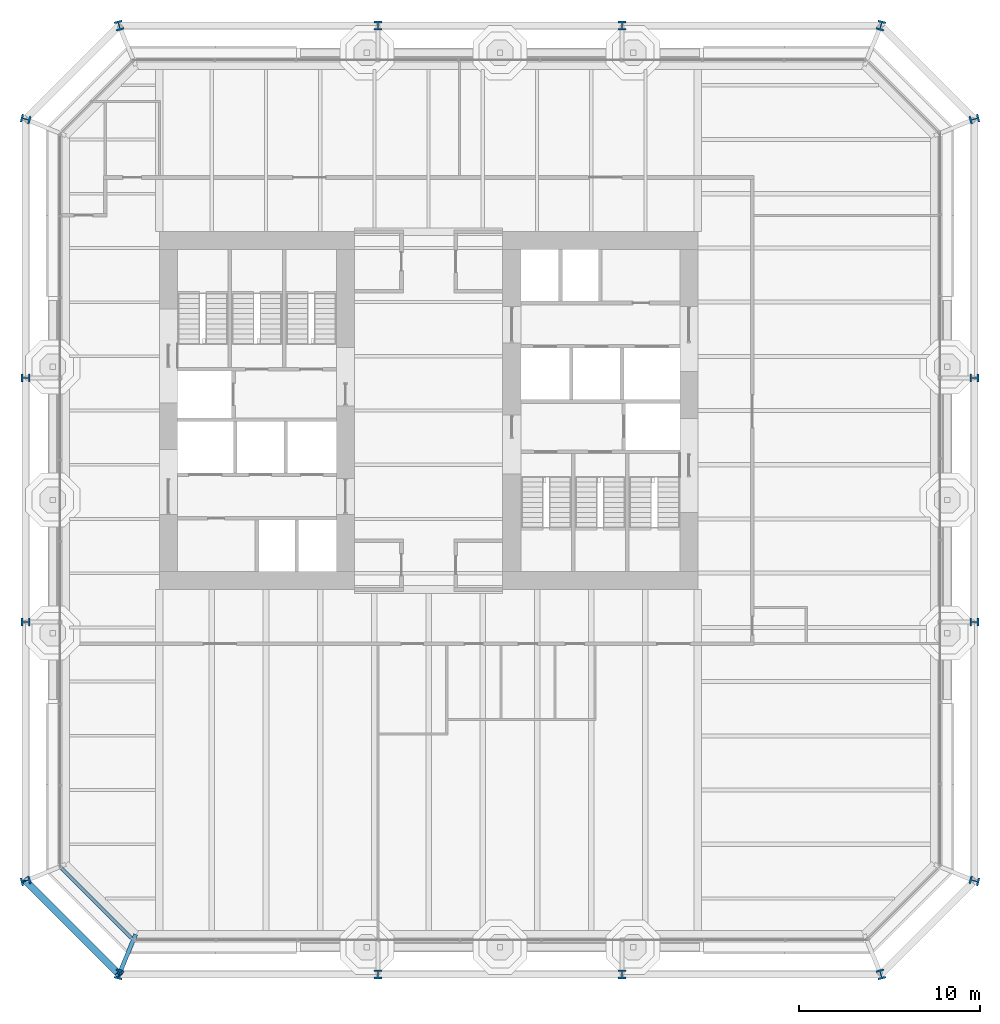
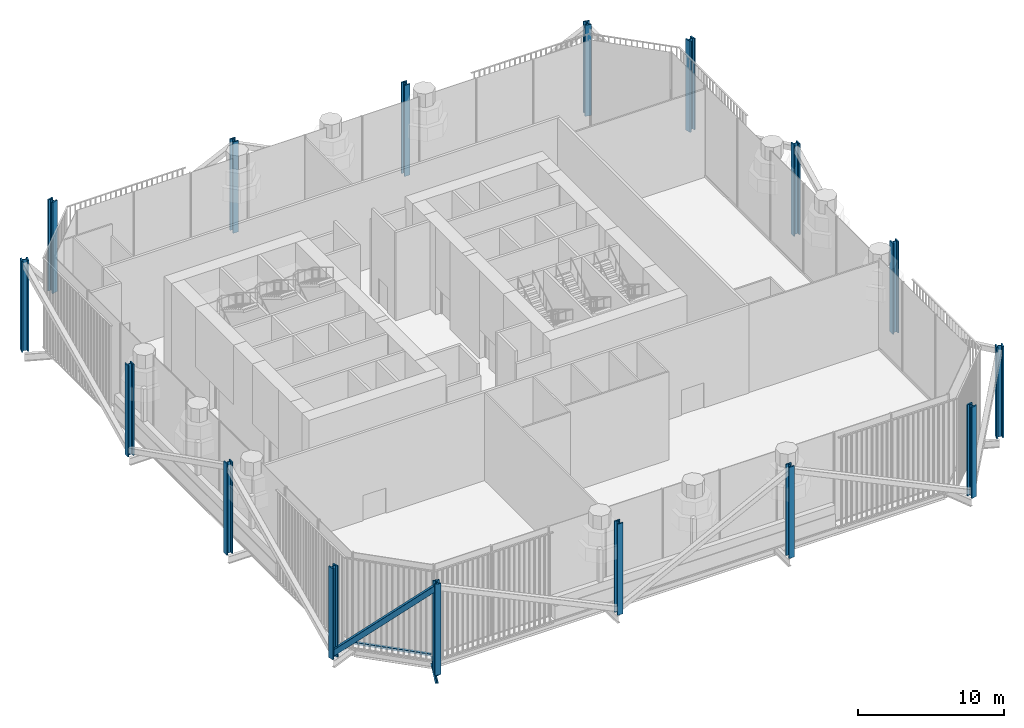
# One storey, part 1 of 18: 16 columns, 2 members, 1 beam, 1 element without a shape of its own.
"""IFC4 building model written with IfcOpenShell, lengths in metres."""

from ifc_helpers import new_model, si_unit, direction, frame, origin, origin_2d, place, context, subcontext, project, spatial, rectangle, hollow_rectangle, i_section, extrude, material, layer, layer_set, material_profile, profile_set, type_object, element, aggregate, save


model = new_model("IFC4")

# Units and contexts
model_context = context("Model", 3, precision=1e-05, world=origin(), true_north=direction((0.0, 1.0)))
body_context = subcontext(model_context, "Body", "Model", "MODEL_VIEW")
ifc_project = project(units=[si_unit("LENGTHUNIT", "METRE"), si_unit("AREAUNIT", "SQUARE_METRE"), si_unit("VOLUMEUNIT", "CUBIC_METRE"), si_unit("PLANEANGLEUNIT", "RADIAN"), si_unit("MASSUNIT", "GRAM", prefix="KILO")], contexts=[model_context])

# Site, building, storey
site_placement = place(None, origin())
site = spatial("IfcSite", under=ifc_project, at=site_placement, CompositionType="ELEMENT")
building_placement = place(site_placement, origin())
building = spatial("IfcBuilding", under=site, at=building_placement, Name="Millrace Tower", CompositionType="ELEMENT")
storey_placement = place(building_placement, frame((0.0, 0.0, 112.800048828125)))
storey = spatial("IfcBuildingStorey", under=building, at=storey_placement, Name="L25", CompositionType="ELEMENT", Elevation=112.800048828125)

# Columns
ifc_material_1 = material(Name="Steel ASTM A913 Grade 65", Category="steel")
ifc_material_profile_1 = material_profile(ifc_material_1, i_section(OverallWidth=0.431884765625, OverallDepth=0.497802734375, WebThickness=0.0556640625, FlangeThickness=0.0888671875, FilletRadius=0.01513671875, at=origin_2d()))
ifc_profile_set_1 = profile_set([ifc_material_profile_1], Name="Steel ASTM A913 Grade 65")
column_type_1 = type_object("IfcColumnType", Name="Exoskeleton column W14x500", PredefinedType="COLUMN", material=ifc_profile_set_1)
for number, where, z_axis, x_axis, name in (
    (1, (-2.800048828125, -31.199951171875, 0.0), (0.0, 0.0, 1.0), (1.0, 0.0, 0.0), "COL-B-L25-X03"),
    (2, (10.699951171875, -31.199951171875, 0.0), (0.0, 0.0, 1.0), (1.0, 0.0, 0.0), "COL-B-L25-X04"),
    (3, (30.199951171875, -11.699951171875, 0.0), (0.0, 0.0, 1.0), (0.0, 1.0, 0.0), "COL-B-L25-X07"),
    (4, (30.199951171875, 1.800048828125, 0.0), (0.0, 0.0, 1.0), (0.0, 1.0, 0.0), "COL-B-L25-X08"),
    (5, (10.699951171875, 21.300048828125, 0.0), (0.0, 0.0, 1.0), (-1.0, 0.0, 0.0), "COL-B-L25-X11"),
    (6, (-2.800048828125, 21.300048828125, 0.0), (0.0, 0.0, 1.0), (-1.0, 0.0, 0.0), "COL-B-L25-X12"),
    (7, (-22.300048828125, 1.800048828125, 0.0), (0.0, 0.0, 1.0), (0.0, -1.0, 0.0), "COL-B-L25-X15"),
    (8, (-22.300048828125, -11.699951171875, 0.0), (0.0, 0.0, 1.0), (0.0, -1.0, 0.0), "COL-B-L25-X16"),
):
    element("IfcColumn", number, at=place(storey_placement, frame(where, z_axis=z_axis, x_axis=x_axis)), inside=storey, type_object=column_type_1, Name=name, PredefinedType="COLUMN", context=body_context, shape_type="SweptSolid", body=[
        extrude(i_section(OverallWidth=0.431884765625, OverallDepth=0.497802734375, WebThickness=0.0556640625, FlangeThickness=0.0888671875, FilletRadius=0.01513671875, at=origin_2d()), origin(), (0.0, 0.0, 1.0), 7.599853515625),
    ])
ifc_material_2 = material(Name="Steel ASTM A913 Grade 65", Category="steel")
ifc_material_profile_2 = material_profile(ifc_material_2, i_section(OverallWidth=0.44189453125, OverallDepth=0.53076171875, WebThickness=0.06591796875, FlangeThickness=0.105712890625, FilletRadius=0.01513671875, at=origin_2d()))
ifc_profile_set_2 = profile_set([ifc_material_profile_2], Name="Steel ASTM A913 Grade 65")
column_type_2 = type_object("IfcColumnType", Name="Exoskeleton column W14x605", PredefinedType="COLUMN", material=ifc_profile_set_2)
for number, where, z_axis, x_axis, name in (
    (9, (-22.300048828125, -26.0283203125, 0.0), (0.0, 0.0, 1.0), (0.256346878353, -0.966584852953, 0.0), "COL-B-L25-X01"),
    (10, (-17.12841796875, -31.199951171875, 0.0), (0.0, 0.0, 1.0), (0.966584852953, -0.256346878353, 0.0), "COL-B-L25-X02"),
    (11, (25.0283203125, -31.199951171875, 0.0), (0.0, 0.0, 1.0), (0.966584852953, 0.256346878353, 0.0), "COL-B-L25-X05"),
    (12, (30.199951171875, -26.0283203125, 0.0), (0.0, 0.0, 1.0), (0.256346878353, 0.966584852953, 0.0), "COL-B-L25-X06"),
    (13, (30.199951171875, 16.12841796875, 0.0), (0.0, 0.0, 1.0), (-0.256346878353, 0.966584852953, 0.0), "COL-B-L25-X09"),
    (14, (25.0283203125, 21.300048828125, 0.0), (0.0, 0.0, 1.0), (-0.966584852953, 0.256346878353, 0.0), "COL-B-L25-X10"),
    (15, (-17.12841796875, 21.300048828125, 0.0), (0.0, 0.0, 1.0), (-0.966584852953, -0.256346878353, 0.0), "COL-B-L25-X13"),
    (16, (-22.300048828125, 16.12841796875, 0.0), (0.0, 0.0, 1.0), (-0.256346878353, -0.966584852953, 0.0), "COL-B-L25-X14"),
):
    element("IfcColumn", number, at=place(storey_placement, frame(where, z_axis=z_axis, x_axis=x_axis)), inside=storey, type_object=column_type_2, Name=name, PredefinedType="COLUMN", context=body_context, shape_type="SweptSolid", body=[
        extrude(i_section(OverallWidth=0.44189453125, OverallDepth=0.53076171875, WebThickness=0.06591796875, FlangeThickness=0.105712890625, FilletRadius=0.01513671875, at=origin_2d()), origin(), (0.0, 0.0, 1.0), 7.599853515625),
    ])

# Curtain wall, member
ifc_material_3 = material(Name="Aluminium and glass", Category="aluminium")
ifc_layer = layer(ifc_material_3, 0.199951171875)
ifc_layer_set = layer_set([ifc_layer], Name="Aluminium and glass")
curtain_wall_type = type_object("IfcCurtainWallType", Name="CW-4 sky garden winter glazing", PredefinedType="NOTDEFINED", material=ifc_layer_set)
curtain_wall_placement = place(storey_placement, origin())
curtain_wall = element("IfcCurtainWall", 17, at=curtain_wall_placement, inside=storey, type_object=curtain_wall_type, Name="Curtain wall B-F01 L25", PredefinedType="NOTDEFINED")
ifc_material_4 = material(Name="Aluminium", Category="aluminium")
ifc_material_profile_3 = material_profile(ifc_material_4, rectangle(XDim=0.199951171875, YDim=0.179931640625, at=origin_2d()))
ifc_profile_set_3 = profile_set([ifc_material_profile_3], Name="Aluminium")
member_type_1 = type_object("IfcMemberType", Name="CW-4 sky garden winter glazing transom", PredefinedType="USERDEFINED", material=ifc_profile_set_3)
member_1_placement = place(storey_placement, frame((-20.300048828125, -25.34130859375, 0.08984375), z_axis=(0.707106781187, -0.707106781187, 0.0), x_axis=(0.707106781187, 0.707106781187, 0.0)))
member_1 = element("IfcMember", 18, at=member_1_placement, type_object=member_type_1, Name="CW4 transom B-F01.1", ObjectType="TRANSOM", PredefinedType="USERDEFINED", context=body_context, shape_type="SweptSolid", body=[
    extrude(rectangle(XDim=0.199951171875, YDim=0.179931640625, at=origin_2d()), origin(), (0.0, 0.0, 1.0), 5.45703125),
])
aggregate(curtain_wall, [member_1])

# Member
ifc_material_5 = material(Name="Steel ASTM A500 Grade C", Category="steel")
ifc_material_profile_4 = material_profile(ifc_material_5, hollow_rectangle(XDim=0.406494140625, YDim=0.406494140625, WallThickness=0.0126953125, InnerFilletRadius=0.00634765625, OuterFilletRadius=0.01904296875, at=origin_2d()))
ifc_profile_set_4 = profile_set([ifc_material_profile_4], Name="Steel ASTM A500 Grade C")
member_type_2 = type_object("IfcMemberType", Name="Exoskeleton brace HSS16x16x1/2", PredefinedType="BRACE", material=ifc_profile_set_4)
member_2_placement = place(storey_placement, frame((-22.300048828125, -26.0283203125, 0.39990234375), z_axis=(0.517856972807, -0.517856972807, 0.680917257404), x_axis=(0.707106781187, 0.707106781187, 0.0)))
element("IfcMember", 19, at=member_2_placement, inside=storey, type_object=member_type_2, Name="BRC-B-L25-01", PredefinedType="BRACE", context=body_context, shape_type="SweptSolid", body=[
    extrude(hollow_rectangle(XDim=0.406494140625, YDim=0.406494140625, WallThickness=0.0126953125, InnerFilletRadius=0.00634765625, OuterFilletRadius=0.01904296875, at=origin_2d()), origin(), (0.0, 0.0, 1.0), 9.986572265625),
])

# Beam
ifc_material_6 = material(Name="Steel ASTM A992 Grade 50", Category="steel")
ifc_material_profile_5 = material_profile(ifc_material_6, i_section(OverallWidth=0.23046875, OverallDepth=0.6171875, WebThickness=0.01318359375, FlangeThickness=0.022216796875, FilletRadius=0.012939453125, at=origin_2d()))
ifc_profile_set_5 = profile_set([ifc_material_profile_5], Name="Steel ASTM A992 Grade 50")
beam_type = type_object("IfcBeamType", Name="Link beam W24x94", PredefinedType="BEAM", material=ifc_profile_set_5)
beam_placement = place(storey_placement, frame((-16.213134765625, -28.990478515625, -0.55859375), z_axis=(-0.382715433277, -0.92386627665, 0.0), x_axis=(0.92386627665, -0.382715433277, 0.0)))
element("IfcBeam", 20, at=beam_placement, inside=storey, type_object=beam_type, Name="LNK-B-L25-S1-16", PredefinedType="BEAM", context=body_context, shape_type="SweptSolid", body=[
    extrude(i_section(OverallWidth=0.23046875, OverallDepth=0.6171875, WebThickness=0.01318359375, FlangeThickness=0.022216796875, FilletRadius=0.012939453125, at=origin_2d()), origin(), (0.0, 0.0, 1.0), 2.3916015625),
])

save(model, "model.ifc")
